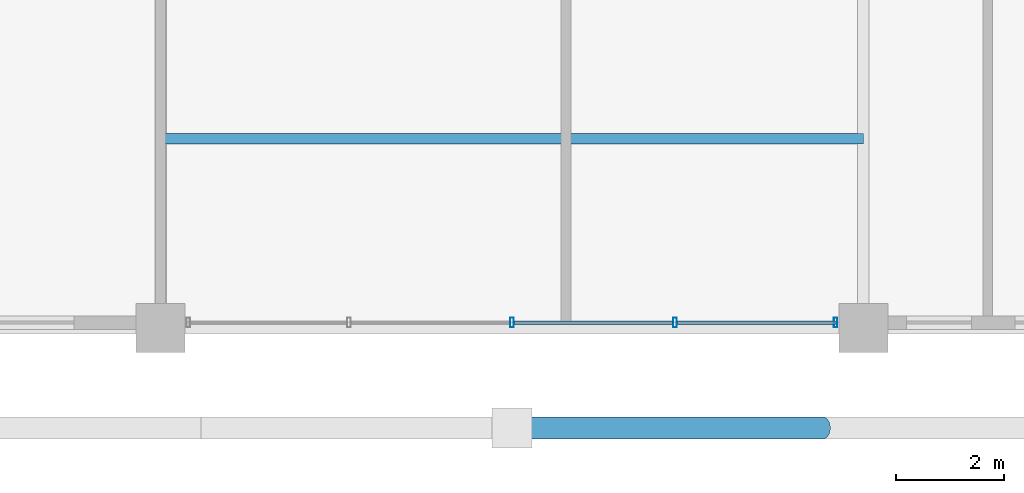
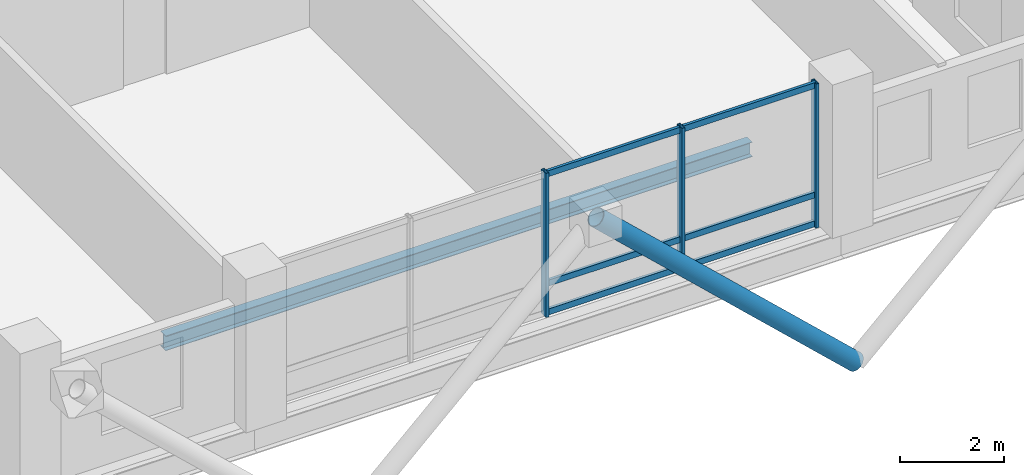
# One storey, part 5 of 22: 10 members, 1 beam, 1 element without a shape of its own.
"""IFC4 building model written with IfcOpenShell, lengths in metres."""

import ifcopenshell
import ifcopenshell.guid

model = None  # the IFC model being written
_history = None  # IfcOwnerHistory: only IFC2X3 demands one
_inside = {}  # id of a spatial element -> (the spatial element, [elements in it])
_under = {}  # id of a project, library or spatial element -> (it, [spatial elements below it])
_declared = {}  # id of a project -> (the project, [libraries it declares])
_typed = {}  # id of a type object -> (the type object, [elements of that type])
_made_of = {}  # id of a material, layer set ... -> (it, [elements and type objects made of it])


def new_model(schema):
    """Start an empty IFC model of exactly this schema.

    Asked for "IFC4X3", IfcOpenShell would pick the latest addendum, in which some entities
    have other attributes; the version numbers below select the first issue.
    IFC2X3 requires an IfcOwnerHistory on every rooted entity: one is made here for all.
    """
    global model, _history
    if schema == "IFC4X3":
        model = ifcopenshell.file(schema_version=(4, 3, 0, 0))
    else:
        model = ifcopenshell.file(schema=schema)
    _inside.clear()
    _under.clear()
    _declared.clear()
    _typed.clear()
    _made_of.clear()
    _history = None
    if model.schema == "IFC2X3":
        org = make("IfcOrganization", Name="unknown")
        user = make(
            "IfcPersonAndOrganization",
            ThePerson=make("IfcPerson", FamilyName="unknown"),
            TheOrganization=org,
        )
        app = make(
            "IfcApplication",
            ApplicationDeveloper=org,
            Version="unknown",
            ApplicationFullName="unknown",
            ApplicationIdentifier="unknown",
        )
        _history = make(
            "IfcOwnerHistory",
            OwningUser=user,
            OwningApplication=app,
            ChangeAction="ADDED",
            CreationDate=0,
        )
    return model


def make(cls, **values):
    """One entity of the class cls with the attributes given. An attribute that is None is left unset."""
    return model.create_entity(
        cls, **{name: value for name, value in values.items() if value is not None}
    )


def rooted(cls, **values):
    """An entity with a GlobalId (a new one), such as an element, a storey or a relation."""
    return make(cls, GlobalId=ifcopenshell.guid.new(), OwnerHistory=_history, **values)


def si_unit(unit_type, name, prefix=None):
    """IfcSIUnit, for example si_unit("LENGTHUNIT", "METRE", prefix="MILLI")."""
    return make("IfcSIUnit", UnitType=unit_type, Prefix=prefix, Name=name)


def assignment(units):
    """IfcUnitAssignment: the units of a project."""
    return None if units is None else make("IfcUnitAssignment", Units=units)


def point(xyz):
    """IfcCartesianPoint."""
    return None if xyz is None else make("IfcCartesianPoint", Coordinates=xyz)


def direction(xyz):
    """IfcDirection."""
    return None if xyz is None else make("IfcDirection", DirectionRatios=xyz)


def frame(location, z_axis=None, x_axis=None):
    """IfcAxis2Placement3D, a coordinate frame: its origin and axes. An axis left out is left unset."""
    return make(
        "IfcAxis2Placement3D",
        Location=point(location),
        Axis=direction(z_axis),
        RefDirection=direction(x_axis),
    )


def frame_2d(location, x_axis=None):
    """IfcAxis2Placement2D, a coordinate frame in the plane: its origin and x axis."""
    return make(
        "IfcAxis2Placement2D", Location=point(location), RefDirection=direction(x_axis)
    )


def origin():
    """The frame at (0, 0, 0) with its axes left unset."""
    return frame((0.0, 0.0, 0.0))


def origin_2d():
    """The frame at (0, 0) in the plane with its x axis left unset."""
    return frame_2d((0.0, 0.0))


def place(relative_to, where):
    """IfcLocalPlacement: puts the frame where relative to a parent placement (None: the world)."""
    return make(
        "IfcLocalPlacement", PlacementRelTo=relative_to, RelativePlacement=where
    )


def context(
    kind, dimensions, precision=None, world=None, true_north=None, identifier=None
):
    """IfcGeometricRepresentationContext, for example the 3D "Model" context."""
    return make(
        "IfcGeometricRepresentationContext",
        ContextIdentifier=identifier,
        ContextType=kind,
        CoordinateSpaceDimension=dimensions,
        Precision=precision,
        WorldCoordinateSystem=world,
        TrueNorth=true_north,
    )


def subcontext(parent, identifier, kind, view, scale=None):
    """IfcGeometricRepresentationSubContext, for example "Body" below "Model"."""
    return make(
        "IfcGeometricRepresentationSubContext",
        ContextIdentifier=identifier,
        ContextType=kind,
        ParentContext=parent,
        TargetScale=scale,
        TargetView=view,
    )


def project(units=None, contexts=None):
    """IfcProject with its units and contexts."""
    return rooted(
        "IfcProject",
        Name="project",
        RepresentationContexts=contexts,
        UnitsInContext=assignment(units),
    )


def spatial(cls, under=None, at=None, **own):
    """A site, building, storey or space (cls), placed at a placement, below another one or the project."""
    s = rooted(cls, ObjectPlacement=at, **own)
    if under is not None:
        _under.setdefault(under.id(), (under, []))[1].append(s)
    return s


def profile(cls, at=None, kind="AREA", **sizes):
    """A parametric profile (cls). Its sizes go by their IFC names, for example OverallWidth=200.0."""
    return make(cls, ProfileType=kind, Position=at, **sizes)


def hollow_rectangle(**sizes):
    """IfcRectangleHollowProfileDef."""
    return profile("IfcRectangleHollowProfileDef", **sizes)


def hollow_circle(**sizes):
    """IfcCircleHollowProfileDef."""
    return profile("IfcCircleHollowProfileDef", **sizes)


def i_section(**sizes):
    """IfcIShapeProfileDef."""
    return profile("IfcIShapeProfileDef", **sizes)


def extrude(swept, where, along, depth):
    """IfcExtrudedAreaSolid: the profile swept, set in the frame where, extruded along a direction by depth."""
    return make(
        "IfcExtrudedAreaSolid",
        SweptArea=swept,
        Position=where,
        ExtrudedDirection=direction(along),
        Depth=depth,
    )


def shape(context_of_items, identifier, shape_type, items):
    """IfcShapeRepresentation: the items that make up one representation, for example the "Body"."""
    return make(
        "IfcShapeRepresentation",
        ContextOfItems=context_of_items,
        RepresentationIdentifier=identifier,
        RepresentationType=shape_type,
        Items=items,
    )


def material(Name=None, Category=None):
    """IfcMaterial."""
    return make("IfcMaterial", Name=Name, Category=Category)


def layer(
    of_material, thickness, ventilated=None, Name=None, Category=None, Priority=None
):
    """IfcMaterialLayer: one layer of a wall or slab, of a material (None: an air gap)."""
    return make(
        "IfcMaterialLayer",
        Material=of_material,
        LayerThickness=thickness,
        IsVentilated=ventilated,
        Name=Name,
        Category=Category,
        Priority=Priority,
    )


def layer_set(layers, Name=None):
    """IfcMaterialLayerSet."""
    return make("IfcMaterialLayerSet", MaterialLayers=layers, LayerSetName=Name)


def material_profile(
    of_material, cross_section, Name=None, Category=None, Priority=None
):
    """IfcMaterialProfile: a cross section and its material."""
    return make(
        "IfcMaterialProfile",
        Name=Name,
        Material=of_material,
        Profile=cross_section,
        Priority=Priority,
        Category=Category,
    )


def profile_set(profiles, Name=None, composite=None):
    """IfcMaterialProfileSet."""
    return make(
        "IfcMaterialProfileSet",
        Name=Name,
        MaterialProfiles=profiles,
        CompositeProfile=composite,
    )


def made_of(thing, what):
    """Note that an element or type object is made of a material, layer set ...; save() writes the relation."""
    if what is not None:
        _made_of.setdefault(what.id(), (what, []))[1].append(thing)
    return thing


def type_object(cls, material=None, **own):
    """A type object (cls), such as IfcWallType, which elements share."""
    return made_of(rooted(cls, **own), material)


def element(
    cls,
    number,
    at=None,
    inside=None,
    cuts=None,
    type_object=None,
    material=None,
    context=None,
    identifier="Body",
    shape_type=None,
    held_by="IfcProductDefinitionShape",
    body=None,
    shapes=None,
    **own,
):
    """One element of the class cls, such as IfcWall. Its Tag is "e" and its number.

    at: its placement. inside: the storey or other place that contains it. cuts: it is an
    opening in that element (IfcRelVoidsElement). A single representation is given by context,
    identifier, shape_type and body (its items); several are given by shapes. held_by: the class
    of the entity that holds the representations. save() writes the other relations.
    """
    e = rooted(cls, Tag="e%d" % number, ObjectPlacement=at, **own)
    if body is not None:
        shapes = [shape(context, identifier, shape_type, body)]
    if shapes is not None:
        e.Representation = make(held_by, Representations=shapes)
    if inside is not None:
        _inside.setdefault(inside.id(), (inside, []))[1].append(e)
    if cuts is not None:
        rooted(
            "IfcRelVoidsElement", RelatingBuildingElement=cuts, RelatedOpeningElement=e
        )
    if type_object is not None:
        _typed.setdefault(type_object.id(), (type_object, []))[1].append(e)
    return made_of(e, material)


def aggregate(whole, parts):
    """IfcRelAggregates: a whole, such as a stair, and the parts it consists of."""
    return rooted("IfcRelAggregates", RelatingObject=whole, RelatedObjects=parts)


def save(model, path):
    """Write the relations noted so far, then the file.

    IfcRelAggregates (storeys below a building ...), IfcRelContainedInSpatialStructure (elements
    in a storey), IfcRelDefinesByType, IfcRelAssociatesMaterial and IfcRelDeclares: one each for
    every whole, place, type object, material and project.
    """
    for whole, parts in _under.values():
        aggregate(whole, parts)
    for where, things in _inside.values():
        rooted(
            "IfcRelContainedInSpatialStructure",
            RelatedElements=things,
            RelatingStructure=where,
        )
    for kind, things in _typed.values():
        rooted("IfcRelDefinesByType", RelatedObjects=things, RelatingType=kind)
    for what, things in _made_of.values():
        rooted("IfcRelAssociatesMaterial", RelatedObjects=things, RelatingMaterial=what)
    for by, libraries in _declared.values():
        rooted("IfcRelDeclares", RelatingContext=by, RelatedDefinitions=libraries)
    model.write(path)


model = new_model("IFC4")

# Units and contexts
model_context = context("Model", 3, precision=1e-05, world=origin(), true_north=direction((0.0, 1.0)))
body_context = subcontext(model_context, "Body", "Model", "MODEL_VIEW")
ifc_project = project(units=[si_unit("LENGTHUNIT", "METRE"), si_unit("AREAUNIT", "SQUARE_METRE"), si_unit("VOLUMEUNIT", "CUBIC_METRE"), si_unit("PLANEANGLEUNIT", "RADIAN"), si_unit("MASSUNIT", "GRAM", prefix="KILO")], contexts=[model_context])

# Site, building, storey
site_placement = place(None, origin())
site = spatial("IfcSite", under=ifc_project, at=site_placement, CompositionType="ELEMENT")
building_placement = place(site_placement, origin())
building = spatial("IfcBuilding", under=site, at=building_placement, Name="Barlavira Tower and Art Museum", CompositionType="ELEMENT")
storey_placement = place(building_placement, frame((0.0, 0.0, 269.10009765625)))
storey = spatial("IfcBuildingStorey", under=building, at=storey_placement, Name="L70", CompositionType="ELEMENT", Elevation=269.10009765625)

# Curtain wall, members
ifc_material_1 = material(Name="Low-iron coastal laminated glass", Category="glass")
ifc_layer = layer(ifc_material_1, 0.2099609375, Name="Low-iron coastal laminated glass")
ifc_layer_set = layer_set([ifc_layer], Name="Low-iron coastal laminated glass")
curtain_wall_type = type_object("IfcCurtainWallType", Name="Pale-Metal Unitised Curtain Wall Zone 4", PredefinedType="NOTDEFINED", material=ifc_layer_set)
curtain_wall_placement = place(storey_placement, origin())
curtain_wall = element("IfcCurtainWall", 1, at=curtain_wall_placement, inside=storey, type_object=curtain_wall_type, Name="L70 Curtain Wall CW4-L70-S-B2", PredefinedType="NOTDEFINED")
ifc_material_2 = material(Name="Pale anodised aluminium", Category="aluminium")
ifc_material_profile_1 = material_profile(ifc_material_2, hollow_rectangle(XDim=0.06494140625, YDim=0.179931640625, WallThickness=0.00390625, at=origin_2d()), Name="ALU-MULL 65x180x4")
ifc_profile_set_1 = profile_set([ifc_material_profile_1], Name="Pale anodised aluminium")
member_type_1 = type_object("IfcMemberType", Name="Curtain Wall Pale-Metal Mullion 65x180", PredefinedType="MULLION", material=ifc_profile_set_1)
member_1_placement = place(storey_placement, frame((0.0, -19.89990234375, 0.0), z_axis=(0.0, 0.0, 1.0), x_axis=(1.0, 0.0, 0.0)))
member_1 = element("IfcMember", 2, at=member_1_placement, type_object=member_type_1, Name="CW4-L70-S-B2 Mullion 2", PredefinedType="MULLION", context=body_context, shape_type="SweptSolid", body=[
    extrude(hollow_rectangle(XDim=0.06494140625, YDim=0.179931640625, WallThickness=0.00390625, at=origin_2d()), origin(), (0.0, 0.0, 1.0), 3.3798828125),
])
member_2_placement = place(storey_placement, frame((3.014892578125, -19.89990234375, 0.0), z_axis=(0.0, 0.0, 1.0), x_axis=(1.0, 0.0, 0.0)))
member_2 = element("IfcMember", 3, at=member_2_placement, type_object=member_type_1, Name="CW4-L70-S-B2 Mullion 3", PredefinedType="MULLION", context=body_context, shape_type="SweptSolid", body=[
    extrude(hollow_rectangle(XDim=0.06494140625, YDim=0.179931640625, WallThickness=0.00390625, at=origin_2d()), origin(), (0.0, 0.0, 1.0), 3.3798828125),
])
member_3_placement = place(storey_placement, frame((5.985107421875, -19.89990234375, 0.0), z_axis=(0.0, 0.0, 1.0), x_axis=(1.0, 0.0, 0.0)))
member_3 = element("IfcMember", 4, at=member_3_placement, type_object=member_type_1, Name="CW4-L70-S-B2 Mullion 4", PredefinedType="MULLION", context=body_context, shape_type="SweptSolid", body=[
    extrude(hollow_rectangle(XDim=0.06494140625, YDim=0.179931640625, WallThickness=0.00390625, at=origin_2d()), origin(), (0.0, 0.0, 1.0), 3.3798828125),
])
ifc_material_profile_2 = material_profile(ifc_material_2, hollow_rectangle(XDim=0.06494140625, YDim=0.139892578125, WallThickness=0.00390625, at=origin_2d()), Name="ALU-TRAN 65x140x4")
ifc_profile_set_2 = profile_set([ifc_material_profile_2], Name="Pale anodised aluminium")
member_type_2 = type_object("IfcMemberType", Name="Curtain Wall Pale-Metal Transom 65x140", PredefinedType="USERDEFINED", material=ifc_profile_set_2)
member_4_placement = place(storey_placement, frame((0.044921875, -19.89990234375, 0.06982421875), z_axis=(1.0, 0.0, 0.0), x_axis=(0.0, 1.0, 0.0)))
member_4 = element("IfcMember", 5, at=member_4_placement, type_object=member_type_2, Name="CW4-L70-S-B2 Transom 2.1", ObjectType="TRANSOM", PredefinedType="USERDEFINED", context=body_context, shape_type="SweptSolid", body=[
    extrude(hollow_rectangle(XDim=0.06494140625, YDim=0.139892578125, WallThickness=0.00390625, at=origin_2d()), origin(), (0.0, 0.0, 1.0), 2.925048828125),
])
member_5_placement = place(storey_placement, frame((0.044921875, -19.89990234375, 0.743896484375), z_axis=(1.0, 0.0, 0.0), x_axis=(0.0, 1.0, 0.0)))
member_5 = element("IfcMember", 6, at=member_5_placement, type_object=member_type_2, Name="CW4-L70-S-B2 Transom 2.2", ObjectType="TRANSOM", PredefinedType="USERDEFINED", context=body_context, shape_type="SweptSolid", body=[
    extrude(hollow_rectangle(XDim=0.06494140625, YDim=0.139892578125, WallThickness=0.00390625, at=origin_2d()), origin(), (0.0, 0.0, 1.0), 2.925048828125),
])
member_6_placement = place(storey_placement, frame((0.044921875, -19.89990234375, 3.309814453125), z_axis=(1.0, 0.0, 0.0), x_axis=(0.0, 1.0, 0.0)))
member_6 = element("IfcMember", 7, at=member_6_placement, type_object=member_type_2, Name="CW4-L70-S-B2 Transom 2.3", ObjectType="TRANSOM", PredefinedType="USERDEFINED", context=body_context, shape_type="SweptSolid", body=[
    extrude(hollow_rectangle(XDim=0.06494140625, YDim=0.139892578125, WallThickness=0.00390625, at=origin_2d()), origin(), (0.0, 0.0, 1.0), 2.925048828125),
])
member_7_placement = place(storey_placement, frame((3.06005859375, -19.89990234375, 0.06982421875), z_axis=(1.0, 0.0, 0.0), x_axis=(0.0, 1.0, 0.0)))
member_7 = element("IfcMember", 8, at=member_7_placement, type_object=member_type_2, Name="CW4-L70-S-B2 Transom 3.1", ObjectType="TRANSOM", PredefinedType="USERDEFINED", context=body_context, shape_type="SweptSolid", body=[
    extrude(hollow_rectangle(XDim=0.06494140625, YDim=0.139892578125, WallThickness=0.00390625, at=origin_2d()), origin(), (0.0, 0.0, 1.0), 2.925048828125),
])
member_8_placement = place(storey_placement, frame((3.06005859375, -19.89990234375, 0.743896484375), z_axis=(1.0, 0.0, 0.0), x_axis=(0.0, 1.0, 0.0)))
member_8 = element("IfcMember", 9, at=member_8_placement, type_object=member_type_2, Name="CW4-L70-S-B2 Transom 3.2", ObjectType="TRANSOM", PredefinedType="USERDEFINED", context=body_context, shape_type="SweptSolid", body=[
    extrude(hollow_rectangle(XDim=0.06494140625, YDim=0.139892578125, WallThickness=0.00390625, at=origin_2d()), origin(), (0.0, 0.0, 1.0), 2.925048828125),
])
member_9_placement = place(storey_placement, frame((3.06005859375, -19.89990234375, 3.309814453125), z_axis=(1.0, 0.0, 0.0), x_axis=(0.0, 1.0, 0.0)))
member_9 = element("IfcMember", 10, at=member_9_placement, type_object=member_type_2, Name="CW4-L70-S-B2 Transom 3.3", ObjectType="TRANSOM", PredefinedType="USERDEFINED", context=body_context, shape_type="SweptSolid", body=[
    extrude(hollow_rectangle(XDim=0.06494140625, YDim=0.139892578125, WallThickness=0.00390625, at=origin_2d()), origin(), (0.0, 0.0, 1.0), 2.925048828125),
])
aggregate(curtain_wall, [member_1, member_2, member_3, member_4, member_5, member_6, member_7, member_8, member_9])

# Member
ifc_material_3 = material(Name="Steel S355", Category="steel")
ifc_material_profile_3 = material_profile(ifc_material_3, hollow_circle(Radius=0.203125, WallThickness=0.01611328125, at=origin_2d()), Name="CHS 406.4x16.0")
ifc_profile_set_3 = profile_set([ifc_material_profile_3], Name="Steel S355")
member_type_3 = type_object("IfcMemberType", Name="Pale-Metal Exoskeleton Diagrid Tube CHS 406x16 Steel S355", PredefinedType="BRACE", material=ifc_profile_set_3)
member_10_placement = place(storey_placement, frame((5.75, -21.85009765625, -1.920166015625), z_axis=(-0.728934650808, 0.0, 0.684583285548), x_axis=(0.0, -1.0, 0.0)))
element("IfcMember", 11, at=member_10_placement, inside=storey, type_object=member_type_3, Name="L70 Exoskeleton Diagrid Tube S", PredefinedType="BRACE", context=body_context, shape_type="SweptSolid", body=[
    extrude(hollow_circle(Radius=0.203125, WallThickness=0.01611328125, at=origin_2d()), origin(), (0.0, 0.0, 1.0), 7.88818359375),
])

# Beam
ifc_material_profile_4 = material_profile(ifc_material_3, i_section(OverallWidth=0.202880859375, OverallDepth=0.346923828125, WebThickness=0.0078125, FlangeThickness=0.013427734375, at=origin_2d()), Name="W360x64.0")
ifc_profile_set_4 = profile_set([ifc_material_profile_4], Name="Steel S355")
beam_type = type_object("IfcBeamType", Name="Zone 4 Composite Floor Joist W360x64 Steel S355", PredefinedType="JOIST", material=ifc_profile_set_4)
beam_placement = place(storey_placement, frame((-6.5, -16.5, -0.3935546875), z_axis=(1.0, 0.0, 0.0), x_axis=(0.0, 1.0, 0.0)))
element("IfcBeam", 12, at=beam_placement, inside=storey, type_object=beam_type, Name="L70 Joist C1", PredefinedType="JOIST", context=body_context, shape_type="SweptSolid", body=[
    extrude(i_section(OverallWidth=0.202880859375, OverallDepth=0.346923828125, WebThickness=0.0078125, FlangeThickness=0.013427734375, at=origin_2d()), origin(), (0.0, 0.0, 1.0), 13.0),
])

save(model, "model.ifc")
